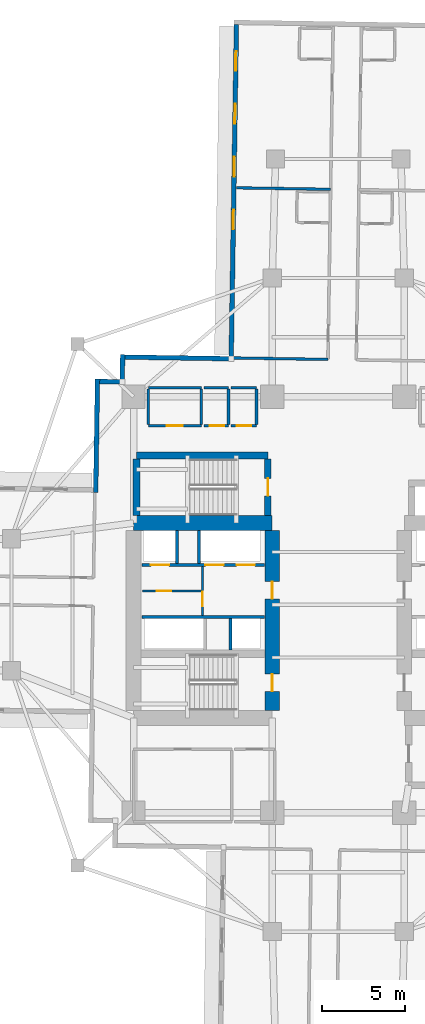
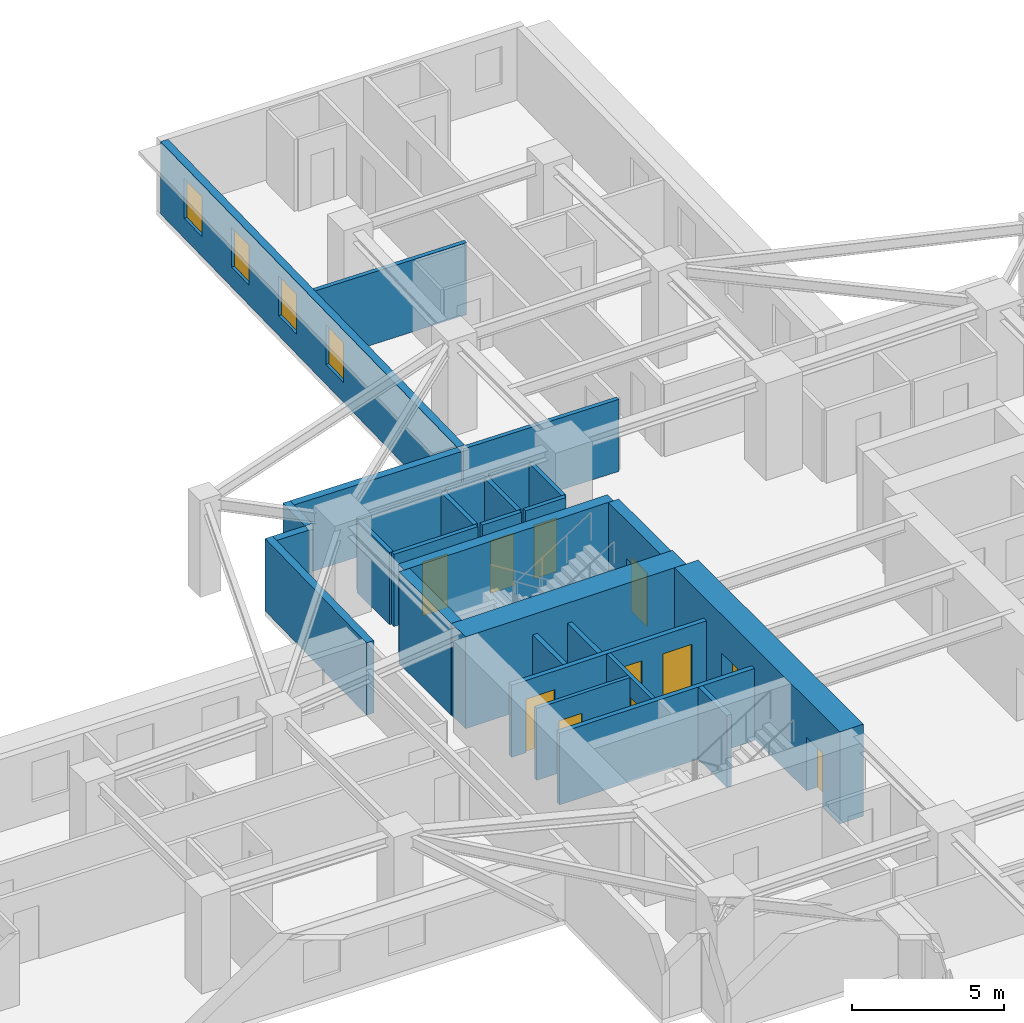
# One storey, part 5 of 13: 29 walls, 11 doors, 4 windows, 15 openings.
"""IFC4 building model written with IfcOpenShell, lengths in metres."""

from ifc_helpers import new_model, si_unit, direction, frame, frame_2d, origin, place, context, subcontext, project, spatial, rectangle, extrude, material, layer, layer_set, type_object, element, fill, save


model = new_model("IFC4")

# Units and contexts
model_context = context("Model", 3, precision=1e-05, world=origin(), true_north=direction((0.0, 1.0)))
body_context = subcontext(model_context, "Body", "Model", "MODEL_VIEW")
ifc_project = project(units=[si_unit("LENGTHUNIT", "METRE"), si_unit("AREAUNIT", "SQUARE_METRE"), si_unit("VOLUMEUNIT", "CUBIC_METRE"), si_unit("PLANEANGLEUNIT", "RADIAN"), si_unit("MASSUNIT", "GRAM", prefix="KILO")], contexts=[model_context])

# Site, building, storey
site_placement = place(None, origin())
site = spatial("IfcSite", under=ifc_project, at=site_placement, CompositionType="ELEMENT")
building_placement = place(site_placement, origin())
building = spatial("IfcBuilding", under=site, at=building_placement, Name="Qingluan Cross Belvedere", CompositionType="ELEMENT")
storey_placement = place(building_placement, frame((0.0, 0.0, 67.800048828125)))
storey = spatial("IfcBuildingStorey", under=building, at=storey_placement, Name="L17", CompositionType="ELEMENT", Elevation=67.800048828125)

# Walls
ifc_material_1 = material(Name="Concrete C50", Category="concrete")
ifc_layer_1 = layer(ifc_material_1, 0.449951171875, Name="CoreShearWall_450")
ifc_layer_set_1 = layer_set([ifc_layer_1], Name="Concrete C50")
wall_type_1 = type_object("IfcWallType", Name="CoreShearWall_450", PredefinedType="SHEAR", material=ifc_layer_set_1)
wall_1_placement = place(storey_placement, frame((-12.219970703125, 9.0400390625, 0.0), z_axis=(0.0, 0.0, 1.0), x_axis=(1.0, 0.0, 0.0)))
element("IfcWall", 1, at=wall_1_placement, inside=storey, type_object=wall_type_1, Name="Stair ST3 structural wall N L17", PredefinedType="SHEAR", context=body_context, shape_type="SweptSolid", body=[
    extrude(rectangle(XDim=7.9599609375, YDim=0.39990234375, at=frame_2d((3.97998046875, 0.0))), origin(), (0.0, 0.0, 1.0), 3.699951171875),
])
wall_2_placement = place(storey_placement, frame((-12.219970703125, 5.405029296875, 0.0), z_axis=(0.0, 0.0, 1.0), x_axis=(0.0, 1.0, 0.0)))
element("IfcWall", 2, at=wall_2_placement, inside=storey, type_object=wall_type_1, Name="Stair ST3 structural wall W L17", PredefinedType="SHEAR", context=body_context, shape_type="SweptSolid", body=[
    extrude(rectangle(XDim=3.429931640625, YDim=0.39990234375, at=frame_2d((1.71484375, 0.0))), origin(), (0.0, 0.0, 1.0), 3.699951171875),
])

# Wall, opening, door
wall_3_placement = place(storey_placement, frame((-4.260009765625, 5.405029296875, 0.0), z_axis=(0.0, 0.0, 1.0), x_axis=(0.0, 1.0, 0.0)))
wall_3 = element("IfcWall", 3, at=wall_3_placement, inside=storey, type_object=wall_type_1, Name="Stair ST3 structural wall E L17", PredefinedType="SHEAR", context=body_context, shape_type="SweptSolid", body=[
    extrude(rectangle(XDim=3.429931640625, YDim=0.39990234375, at=frame_2d((1.71484375, 0.0))), origin(), (0.0, 0.0, 1.0), 3.699951171875),
])
opening_1_placement = place(wall_3_placement, frame((1.195068359375, 0.0, 0.0)))
opening_1 = element("IfcOpeningElement", 4, at=opening_1_placement, cuts=wall_3, Name="Opening FD-B11", PredefinedType="OPENING", context=body_context, shape_type="SweptSolid", body=[
    extrude(rectangle(XDim=1.050048828125, YDim=2.14990234375, at=frame_2d((0.52490234375, 1.074951171875))), frame((0.0, 0.2099609375, 0.0), z_axis=(0.0, -1.0, 0.0), x_axis=(1.0, 0.0, 0.0)), (0.0, 0.0, 1.0), 0.419921875),
])
ifc_material_2 = material(Name="Steel Class B smoke-seal fire door", Category="steel")
door_type_1 = type_object("IfcDoorType", Name="StairLobbyFireDoor_FDB", OperationType="NOTDEFINED", PredefinedType="DOOR", material=ifc_material_2)
door_1_placement = place(opening_1_placement, origin())
door_1 = element("IfcDoor", 5, at=door_1_placement, inside=storey, type_object=door_type_1, Name="Smoke-proof stair ST3 fire door L17", OperationType="SINGLE_SWING_RIGHT", OverallHeight=2.14990234375, OverallWidth=1.050048828125, PredefinedType="DOOR", context=body_context, shape_type="SweptSolid", body=[
    extrude(rectangle(XDim=1.050048828125, YDim=2.14990234375, at=frame_2d((0.52490234375, 1.074951171875))), frame((0.0, 0.02490234375, 0.0), z_axis=(0.0, -1.0, 0.0), x_axis=(1.0, 0.0, 0.0)), (0.0, 0.0, 1.0), 0.050048828125),
])
fill(opening_1, door_1)

# Wall
ifc_material_3 = material(Name="Concrete C70", Category="concrete")
ifc_layer_2 = layer(ifc_material_3, 0.89990234375, Name="CoreShearWall_900")
ifc_layer_set_2 = layer_set([ifc_layer_2], Name="Concrete C70")
wall_type_2 = type_object("IfcWallType", Name="CoreShearWall_900", PredefinedType="SHEAR", material=ifc_layer_set_2)
wall_4_placement = place(storey_placement, frame((-12.39990234375, 4.949951171875, 0.0), z_axis=(0.0, 0.0, 1.0), x_axis=(1.0, 0.0, 0.0)))
element("IfcWall", 6, at=wall_4_placement, inside=storey, type_object=wall_type_2, Name="Split core W shear wall L17-N", PredefinedType="SHEAR", context=body_context, shape_type="SweptSolid", body=[
    extrude(rectangle(XDim=8.39990234375, YDim=0.89990234375, at=frame_2d((4.199951171875, 0.0))), origin(), (0.0, 0.0, 1.0), 3.699951171875),
])

# Wall, openings, doors
wall_5_placement = place(storey_placement, frame((-4.0, -6.39501953125, 0.0), z_axis=(0.0, 0.0, 1.0), x_axis=(0.0, 1.0, 0.0)))
wall_5 = element("IfcWall", 7, at=wall_5_placement, inside=storey, type_object=wall_type_2, Name="Split core W shear wall L17-E", PredefinedType="SHEAR", context=body_context, shape_type="SweptSolid", body=[
    extrude(rectangle(XDim=10.89013671875, YDim=0.89990234375, at=frame_2d((5.445068359375, 0.0))), origin(), (0.0, 0.0, 1.0), 3.699951171875),
])
opening_2_placement = place(wall_5_placement, frame((1.14501953125, 0.0, 0.0)))
opening_2 = element("IfcOpeningElement", 8, at=opening_2_placement, cuts=wall_5, Name="Opening FD-B11", PredefinedType="OPENING", context=body_context, shape_type="SweptSolid", body=[
    extrude(rectangle(XDim=1.050048828125, YDim=2.14990234375, at=frame_2d((0.52490234375, 1.074951171875))), frame((0.0, 0.4599609375, 0.0), z_axis=(0.0, -1.0, 0.0), x_axis=(1.0, 0.0, 0.0)), (0.0, 0.0, 1.0), 0.919921875),
])
opening_3_placement = place(wall_5_placement, frame((6.7451171875, 0.0, 0.0)))
opening_3 = element("IfcOpeningElement", 9, at=opening_3_placement, cuts=wall_5, Name="Opening FD-B11", PredefinedType="OPENING", context=body_context, shape_type="SweptSolid", body=[
    extrude(rectangle(XDim=1.050048828125, YDim=2.14990234375, at=frame_2d((0.52490234375, 1.074951171875))), frame((0.0, 0.4599609375, 0.0), z_axis=(0.0, -1.0, 0.0), x_axis=(1.0, 0.0, 0.0)), (0.0, 0.0, 1.0), 0.919921875),
])
door_2_placement = place(opening_2_placement, origin())
door_2 = element("IfcDoor", 10, at=door_2_placement, inside=storey, type_object=door_type_1, Name="Smoke-proof stair ST1 fire door L17", OperationType="SINGLE_SWING_RIGHT", OverallHeight=2.14990234375, OverallWidth=1.050048828125, PredefinedType="DOOR", context=body_context, shape_type="SweptSolid", body=[
    extrude(rectangle(XDim=1.050048828125, YDim=2.14990234375, at=frame_2d((0.52490234375, 1.074951171875))), frame((0.0, 0.02490234375, 0.0), z_axis=(0.0, -1.0, 0.0), x_axis=(1.0, 0.0, 0.0)), (0.0, 0.0, 1.0), 0.050048828125),
])
fill(opening_2, door_2)
door_3_placement = place(opening_3_placement, origin())
door_3 = element("IfcDoor", 11, at=door_3_placement, inside=storey, type_object=door_type_1, Name="Firefighting lobby West fire door L17", OperationType="SINGLE_SWING_RIGHT", OverallHeight=2.14990234375, OverallWidth=1.050048828125, PredefinedType="DOOR", context=body_context, shape_type="SweptSolid", body=[
    extrude(rectangle(XDim=1.050048828125, YDim=2.14990234375, at=frame_2d((0.52490234375, 1.074951171875))), frame((0.0, 0.02490234375, 0.0), z_axis=(0.0, -1.0, 0.0), x_axis=(1.0, 0.0, 0.0)), (0.0, 0.0, 1.0), 0.050048828125),
])
fill(opening_3, door_3)

# Wall, opening, door
ifc_material_4 = material(Name="Gypsum plasterboard on steel stud acoustic partition", Category="steel")
ifc_layer_3 = layer(ifc_material_4, 0.159912109375, Name="CorridorPartition_160")
ifc_layer_set_3 = layer_set([ifc_layer_3], Name="Gypsum plasterboard on steel stud acoustic partition")
wall_type_3 = type_object("IfcWallType", Name="CorridorPartition_160", PredefinedType="PARTITIONING", material=ifc_layer_set_3)
wall_6_placement = place(storey_placement, frame((-11.85009765625, 0.830078125, 0.0), z_axis=(0.0, 0.0, 1.0), x_axis=(1.0, 0.0, 0.0)))
wall_6 = element("IfcWall", 12, at=wall_6_placement, inside=storey, type_object=wall_type_3, Name="Partition L17:w", PredefinedType="PARTITIONING", context=body_context, shape_type="SweptSolid", body=[
    extrude(rectangle(XDim=3.552001953125, YDim=0.139892578125, at=frame_2d((1.77587890625, 0.0))), origin(), (0.0, 0.0, 1.0), 2.89990234375),
])
opening_4_placement = place(wall_6_placement, frame((0.85009765625, 0.0, 0.0)))
opening_4 = element("IfcOpeningElement", 13, at=opening_4_placement, cuts=wall_6, Name="Opening FD-B10", PredefinedType="OPENING", context=body_context, shape_type="SweptSolid", body=[
    extrude(rectangle(XDim=0.8798828125, YDim=2.10009765625, at=frame_2d((0.43994140625, 1.050048828125))), frame((0.0, 0.079833984375, 0.0), z_axis=(0.0, -1.0, 0.0), x_axis=(1.0, 0.0, 0.0)), (0.0, 0.0, 1.0), 0.159912109375),
])
ifc_material_5 = material(Name="Steel Class B service fire door", Category="steel")
door_type_2 = type_object("IfcDoorType", Name="RiserServiceFireDoor_FDB", OperationType="NOTDEFINED", PredefinedType="DOOR", material=ifc_material_5)
door_4_placement = place(opening_4_placement, origin())
door_4 = element("IfcDoor", 14, at=door_4_placement, inside=storey, type_object=door_type_2, Name="Service closet inner door L17", OperationType="SINGLE_SWING_RIGHT", OverallHeight=2.10009765625, OverallWidth=0.8798828125, PredefinedType="DOOR", context=body_context, shape_type="SweptSolid", body=[
    extrude(rectangle(XDim=0.8798828125, YDim=2.10009765625, at=frame_2d((0.43994140625, 1.050048828125))), frame((0.0, 0.02490234375, 0.0), z_axis=(0.0, -1.0, 0.0), x_axis=(1.0, 0.0, 0.0)), (0.0, 0.0, 1.0), 0.050048828125),
])
fill(opening_4, door_4)

wall_7_placement = place(storey_placement, frame((-11.5, 10.85009765625, 0.0), z_axis=(0.0, 0.0, 1.0), x_axis=(1.0, 0.0, 0.0)))
wall_7 = element("IfcWall", 15, at=wall_7_placement, inside=storey, type_object=wall_type_3, Name="Partition L17:q_nw_occ:S", PredefinedType="PARTITIONING", context=body_context, shape_type="SweptSolid", body=[
    extrude(rectangle(XDim=3.199951171875, YDim=0.159912109375, at=frame_2d((1.60009765625, 0.0))), origin(), (0.0, 0.0, 1.0), 2.89990234375),
])
opening_5_placement = place(wall_7_placement, frame((1.1201171875, 0.0, 0.0)))
opening_5 = element("IfcOpeningElement", 16, at=opening_5_placement, cuts=wall_7, Name="Opening GD-10", PredefinedType="OPENING", context=body_context, shape_type="SweptSolid", body=[
    extrude(rectangle(XDim=0.9599609375, YDim=2.14990234375, at=frame_2d((0.47998046875, 1.074951171875))), frame((0.0, 0.08984375, 0.0), z_axis=(0.0, -1.0, 0.0), x_axis=(1.0, 0.0, 0.0)), (0.0, 0.0, 1.0), 0.179931640625),
])
ifc_material_6 = material(Name="Timber oak fire-rated acoustic guestroom door", Category="wood")
door_type_3 = type_object("IfcDoorType", Name="GuestEntryDoor_FD60", OperationType="NOTDEFINED", PredefinedType="DOOR", material=ifc_material_6)
door_5_placement = place(opening_5_placement, origin())
door_5 = element("IfcDoor", 17, at=door_5_placement, inside=storey, type_object=door_type_3, Name="Northwest corner reading salon L17 door", OperationType="SINGLE_SWING_RIGHT", OverallHeight=2.14990234375, OverallWidth=0.9599609375, PredefinedType="DOOR", context=body_context, shape_type="SweptSolid", body=[
    extrude(rectangle(XDim=0.9599609375, YDim=2.14990234375, at=frame_2d((0.47998046875, 1.074951171875))), frame((0.0, 0.02490234375, 0.0), z_axis=(0.0, -1.0, 0.0), x_axis=(1.0, 0.0, 0.0)), (0.0, 0.0, 1.0), 0.050048828125),
])
fill(opening_5, door_5)

# Walls
wall_8_placement = place(storey_placement, frame((-11.5, 13.14990234375, 0.0), z_axis=(0.0, 0.0, 1.0), x_axis=(1.0, 0.0, 0.0)))
element("IfcWall", 18, at=wall_8_placement, inside=storey, type_object=wall_type_3, Name="Partition L17:q_nw_occ:N", PredefinedType="PARTITIONING", context=body_context, shape_type="SweptSolid", body=[
    extrude(rectangle(XDim=3.199951171875, YDim=0.159912109375, at=frame_2d((1.60009765625, 0.0))), origin(), (0.0, 0.0, 1.0), 2.89990234375),
])
for number, where, z_axis, x_axis, name in (
    (19, (-11.5, 10.93505859375, 0.0), (0.0, 0.0, 1.0), (0.0, 1.0, 0.0), "Partition L17:q_nw_occ:W"),
    (20, (-8.300048828125, 10.93505859375, 0.0), (0.0, 0.0, 1.0), (0.0, 1.0, 0.0), "Partition L17:q_nw_occ:E"),
):
    element("IfcWall", number, at=place(storey_placement, frame(where, z_axis=z_axis, x_axis=x_axis)), inside=storey, type_object=wall_type_3, Name=name, PredefinedType="PARTITIONING", context=body_context, shape_type="SweptSolid", body=[
        extrude(rectangle(XDim=2.1298828125, YDim=0.159912109375, at=frame_2d((1.06494140625, 0.0))), origin(), (0.0, 0.0, 1.0), 2.89990234375),
    ])

# Wall, opening, door
wall_9_placement = place(storey_placement, frame((-8.139892578125, 10.85009765625, 0.0), z_axis=(0.0, 0.0, 1.0), x_axis=(1.0, 0.0, 0.0)))
wall_9 = element("IfcWall", 21, at=wall_9_placement, inside=storey, type_object=wall_type_3, Name="Partition L17:hk_linen:S", PredefinedType="PARTITIONING", context=body_context, shape_type="SweptSolid", body=[
    extrude(rectangle(XDim=1.489990234375, YDim=0.159912109375, at=frame_2d((0.7451171875, 0.0))), origin(), (0.0, 0.0, 1.0), 2.89990234375),
])
opening_6_placement = place(wall_9_placement, frame((0.35009765625, 0.0, 0.0)))
opening_6 = element("IfcOpeningElement", 22, at=opening_6_placement, cuts=wall_9, Name="Opening FD-B10", PredefinedType="OPENING", context=body_context, shape_type="SweptSolid", body=[
    extrude(rectangle(XDim=0.8798828125, YDim=2.10009765625, at=frame_2d((0.43994140625, 1.050048828125))), frame((0.0, 0.08984375, 0.0), z_axis=(0.0, -1.0, 0.0), x_axis=(1.0, 0.0, 0.0)), (0.0, 0.0, 1.0), 0.179931640625),
])
door_6_placement = place(opening_6_placement, origin())
door_6 = element("IfcDoor", 23, at=door_6_placement, inside=storey, type_object=door_type_2, Name="Housekeeping and linen store L17 door", OperationType="SINGLE_SWING_LEFT", OverallHeight=2.10009765625, OverallWidth=0.8798828125, PredefinedType="DOOR", context=body_context, shape_type="SweptSolid", body=[
    extrude(rectangle(XDim=0.8798828125, YDim=2.10009765625, at=frame_2d((0.43994140625, 1.050048828125))), frame((0.0, 0.02490234375, 0.0), z_axis=(0.0, -1.0, 0.0), x_axis=(1.0, 0.0, 0.0)), (0.0, 0.0, 1.0), 0.050048828125),
])
fill(opening_6, door_6)

# Walls
wall_10_placement = place(storey_placement, frame((-8.139892578125, 13.14990234375, 0.0), z_axis=(0.0, 0.0, 1.0), x_axis=(1.0, 0.0, 0.0)))
element("IfcWall", 24, at=wall_10_placement, inside=storey, type_object=wall_type_3, Name="Partition L17:hk_linen:N", PredefinedType="PARTITIONING", context=body_context, shape_type="SweptSolid", body=[
    extrude(rectangle(XDim=1.489990234375, YDim=0.159912109375, at=frame_2d((0.7451171875, 0.0))), origin(), (0.0, 0.0, 1.0), 2.89990234375),
])
wall_11_placement = place(storey_placement, frame((-6.64990234375, 10.93505859375, 0.0), z_axis=(0.0, 0.0, 1.0), x_axis=(0.0, 1.0, 0.0)))
element("IfcWall", 25, at=wall_11_placement, inside=storey, type_object=wall_type_3, Name="Partition L17:hk_linen:E", PredefinedType="PARTITIONING", context=body_context, shape_type="SweptSolid", body=[
    extrude(rectangle(XDim=2.1298828125, YDim=0.159912109375, at=frame_2d((1.06494140625, 0.0))), origin(), (0.0, 0.0, 1.0), 2.89990234375),
])

# Wall, opening, door
wall_12_placement = place(storey_placement, frame((-6.489990234375, 10.85009765625, 0.0), z_axis=(0.0, 0.0, 1.0), x_axis=(1.0, 0.0, 0.0)))
wall_12 = element("IfcWall", 26, at=wall_12_placement, inside=storey, type_object=wall_type_3, Name="Partition L17:floor_acc_wc:S", PredefinedType="PARTITIONING", context=body_context, shape_type="SweptSolid", body=[
    extrude(rectangle(XDim=1.5400390625, YDim=0.159912109375, at=frame_2d((0.77001953125, 0.0))), origin(), (0.0, 0.0, 1.0), 2.89990234375),
])
opening_7_placement = place(wall_12_placement, frame((0.35009765625, 0.0, 0.0)))
opening_7 = element("IfcOpeningElement", 27, at=opening_7_placement, cuts=wall_12, Name="Opening BD-08", PredefinedType="OPENING", context=body_context, shape_type="SweptSolid", body=[
    extrude(rectangle(XDim=0.8798828125, YDim=2.14990234375, at=frame_2d((0.43994140625, 1.074951171875))), frame((0.0, 0.08984375, 0.0), z_axis=(0.0, -1.0, 0.0), x_axis=(1.0, 0.0, 0.0)), (0.0, 0.0, 1.0), 0.179931640625),
])
ifc_material_7 = material(Name="Moisture-sealed timber accessible WC door", Category="wood")
door_type_4 = type_object("IfcDoorType", Name="AccessibleWCDoor_880", OperationType="NOTDEFINED", PredefinedType="DOOR", material=ifc_material_7)
door_7_placement = place(opening_7_placement, origin())
door_7 = element("IfcDoor", 28, at=door_7_placement, inside=storey, type_object=door_type_4, Name="Accessible guest washroom L17 door", OperationType="SINGLE_SWING_RIGHT", OverallHeight=2.14990234375, OverallWidth=0.8798828125, PredefinedType="DOOR", context=body_context, shape_type="SweptSolid", body=[
    extrude(rectangle(XDim=0.8798828125, YDim=2.14990234375, at=frame_2d((0.43994140625, 1.074951171875))), frame((0.0, 0.02490234375, 0.0), z_axis=(0.0, -1.0, 0.0), x_axis=(1.0, 0.0, 0.0)), (0.0, 0.0, 1.0), 0.050048828125),
])
fill(opening_7, door_7)

# Walls
wall_13_placement = place(storey_placement, frame((-6.489990234375, 13.14990234375, 0.0), z_axis=(0.0, 0.0, 1.0), x_axis=(1.0, 0.0, 0.0)))
element("IfcWall", 29, at=wall_13_placement, inside=storey, type_object=wall_type_3, Name="Partition L17:floor_acc_wc:N", PredefinedType="PARTITIONING", context=body_context, shape_type="SweptSolid", body=[
    extrude(rectangle(XDim=1.5400390625, YDim=0.159912109375, at=frame_2d((0.77001953125, 0.0))), origin(), (0.0, 0.0, 1.0), 2.89990234375),
])
wall_14_placement = place(storey_placement, frame((-4.949951171875, 10.93505859375, 0.0), z_axis=(0.0, 0.0, 1.0), x_axis=(0.0, 1.0, 0.0)))
element("IfcWall", 30, at=wall_14_placement, inside=storey, type_object=wall_type_3, Name="Partition L17:floor_acc_wc:E", PredefinedType="PARTITIONING", context=body_context, shape_type="SweptSolid", body=[
    extrude(rectangle(XDim=2.1298828125, YDim=0.159912109375, at=frame_2d((1.06494140625, 0.0))), origin(), (0.0, 0.0, 1.0), 2.89990234375),
])
wall_15_placement = place(storey_placement, frame((-0.626708984375, 14.86181640625, 0.0), z_axis=(0.0, 0.0, 1.0), x_axis=(-0.999877290141, 0.015665396937, 0.0)))
element("IfcWall", 31, at=wall_15_placement, inside=storey, type_object=wall_type_3, Name="Partition L17:N:s1", PredefinedType="PARTITIONING", context=body_context, shape_type="SweptSolid", body=[
    extrude(rectangle(XDim=5.85986328125, YDim=0.159912109375, at=frame_2d((2.929931640625, 0.0))), origin(), (0.0, 0.0, 1.0), 2.89990234375),
])
wall_16_placement = place(storey_placement, frame((-0.464599609375, 25.16748046875, 0.0), z_axis=(0.0, 0.0, 1.0), x_axis=(-0.999876969438, 0.015685853115, 0.0)))
element("IfcWall", 32, at=wall_16_placement, inside=storey, type_object=wall_type_3, Name="Partition L17:N:d1_0", PredefinedType="PARTITIONING", context=body_context, shape_type="SweptSolid", body=[
    extrude(rectangle(XDim=5.712158203125, YDim=0.159912109375, at=frame_2d((2.85595703125, 0.0))), origin(), (0.0, 0.0, 1.0), 2.89990234375),
])

# Wall, openings, windows
ifc_material_8 = material(Name="Precast concrete C45", Category="concrete")
ifc_layer_4 = layer(ifc_material_8, 0.280029296875, Name="PrecastFacadeWall_280")
ifc_layer_set_4 = layer_set([ifc_layer_4], Name="Precast concrete C45")
wall_type_4 = type_object("IfcWallType", Name="PrecastFacadeWall_280", PredefinedType="STANDARD", material=ifc_layer_set_4)
wall_17_placement = place(storey_placement, frame((-6.168701171875, 35.14111328125, 0.0), z_axis=(0.0, 0.0, 1.0), x_axis=(-0.01571739401, -0.999876474133, 0.0)))
wall_17 = element("IfcWall", 33, at=wall_17_placement, inside=storey, type_object=wall_type_4, Name="Facade wall L17-NB", PredefinedType="STANDARD", context=body_context, shape_type="SweptSolid", body=[
    extrude(rectangle(XDim=20.099853515625, YDim=0.280029296875, at=frame_2d((10.0498046875, 0.0))), origin(), (0.0, 0.0, 1.0), 2.909912109375),
])
opening_8_placement = place(wall_17_placement, frame((1.60009765625, 0.0, 0.800048828125)))
opening_8 = element("IfcOpeningElement", 34, at=opening_8_placement, cuts=wall_17, Name="Opening W-02", PredefinedType="OPENING", context=body_context, shape_type="SweptSolid", body=[
    extrude(rectangle(XDim=1.199951171875, YDim=1.60009765625, at=frame_2d((0.60009765625, 0.800048828125))), frame((0.0, 0.14990234375, 0.0), z_axis=(0.0, -1.0, 0.0), x_axis=(1.0, 0.0, 0.0)), (0.0, 0.0, 1.0), 0.300048828125),
])
opening_9_placement = place(wall_17_placement, frame((4.800048828125, 0.0, 0.800048828125)))
opening_9 = element("IfcOpeningElement", 35, at=opening_9_placement, cuts=wall_17, Name="Opening W-02", PredefinedType="OPENING", context=body_context, shape_type="SweptSolid", body=[
    extrude(rectangle(XDim=1.199951171875, YDim=1.60009765625, at=frame_2d((0.60009765625, 0.800048828125))), frame((0.0, 0.14990234375, 0.0), z_axis=(0.0, -1.0, 0.0), x_axis=(1.0, 0.0, 0.0)), (0.0, 0.0, 1.0), 0.300048828125),
])
opening_10_placement = place(wall_17_placement, frame((8.0, 0.0, 0.800048828125)))
opening_10 = element("IfcOpeningElement", 36, at=opening_10_placement, cuts=wall_17, Name="Opening W-02", PredefinedType="OPENING", context=body_context, shape_type="SweptSolid", body=[
    extrude(rectangle(XDim=1.199951171875, YDim=1.60009765625, at=frame_2d((0.60009765625, 0.800048828125))), frame((0.0, 0.14990234375, 0.0), z_axis=(0.0, -1.0, 0.0), x_axis=(1.0, 0.0, 0.0)), (0.0, 0.0, 1.0), 0.300048828125),
])
opening_11_placement = place(wall_17_placement, frame((11.199951171875, 0.0, 0.800048828125)))
opening_11 = element("IfcOpeningElement", 37, at=opening_11_placement, cuts=wall_17, Name="Opening W-02", PredefinedType="OPENING", context=body_context, shape_type="SweptSolid", body=[
    extrude(rectangle(XDim=1.199951171875, YDim=1.60009765625, at=frame_2d((0.60009765625, 0.800048828125))), frame((0.0, 0.14990234375, 0.0), z_axis=(0.0, -1.0, 0.0), x_axis=(1.0, 0.0, 0.0)), (0.0, 0.0, 1.0), 0.300048828125),
])
ifc_material_9 = material(Name="Thermally broken triple Low-E glass in aluminium frame", Category="aluminium")
window_type = type_object("IfcWindowType", Name="TriRibbonWin_1200x1600", PartitioningType="SINGLE_PANEL", PredefinedType="WINDOW", material=ifc_material_9)
window_1_placement = place(opening_8_placement, origin())
window_1 = element("IfcWindow", 38, at=window_1_placement, inside=storey, type_object=window_type, Name="Ribbon window L17-NB-1", OverallHeight=1.60009765625, OverallWidth=1.199951171875, PartitioningType="SINGLE_PANEL", PredefinedType="WINDOW", context=body_context, shape_type="SweptSolid", body=[
    extrude(rectangle(XDim=1.199951171875, YDim=1.60009765625, at=frame_2d((0.60009765625, 0.800048828125))), frame((0.0, 0.030029296875, 0.0), z_axis=(0.0, -1.0, 0.0), x_axis=(1.0, 0.0, 0.0)), (0.0, 0.0, 1.0), 0.06005859375),
])
fill(opening_8, window_1)
window_2_placement = place(opening_9_placement, origin())
window_2 = element("IfcWindow", 39, at=window_2_placement, inside=storey, type_object=window_type, Name="Ribbon window L17-NB-2", OverallHeight=1.60009765625, OverallWidth=1.199951171875, PartitioningType="SINGLE_PANEL", PredefinedType="WINDOW", context=body_context, shape_type="SweptSolid", body=[
    extrude(rectangle(XDim=1.199951171875, YDim=1.60009765625, at=frame_2d((0.60009765625, 0.800048828125))), frame((0.0, 0.030029296875, 0.0), z_axis=(0.0, -1.0, 0.0), x_axis=(1.0, 0.0, 0.0)), (0.0, 0.0, 1.0), 0.06005859375),
])
fill(opening_9, window_2)
window_3_placement = place(opening_10_placement, origin())
window_3 = element("IfcWindow", 40, at=window_3_placement, inside=storey, type_object=window_type, Name="Ribbon window L17-NB-3", OverallHeight=1.60009765625, OverallWidth=1.199951171875, PartitioningType="SINGLE_PANEL", PredefinedType="WINDOW", context=body_context, shape_type="SweptSolid", body=[
    extrude(rectangle(XDim=1.199951171875, YDim=1.60009765625, at=frame_2d((0.60009765625, 0.800048828125))), frame((0.0, 0.030029296875, 0.0), z_axis=(0.0, -1.0, 0.0), x_axis=(1.0, 0.0, 0.0)), (0.0, 0.0, 1.0), 0.06005859375),
])
fill(opening_10, window_3)
window_4_placement = place(opening_11_placement, origin())
window_4 = element("IfcWindow", 41, at=window_4_placement, inside=storey, type_object=window_type, Name="Ribbon window L17-NB-4", OverallHeight=1.60009765625, OverallWidth=1.199951171875, PartitioningType="SINGLE_PANEL", PredefinedType="WINDOW", context=body_context, shape_type="SweptSolid", body=[
    extrude(rectangle(XDim=1.199951171875, YDim=1.60009765625, at=frame_2d((0.60009765625, 0.800048828125))), frame((0.0, 0.030029296875, 0.0), z_axis=(0.0, -1.0, 0.0), x_axis=(1.0, 0.0, 0.0)), (0.0, 0.0, 1.0), 0.06005859375),
])
fill(opening_11, window_4)

# Walls
wall_18_placement = place(storey_placement, frame((-14.69482421875, 6.811767578125, 0.0), z_axis=(0.0, 0.0, 1.0), x_axis=(0.015694809807, 0.999876828887, 0.0)))
element("IfcWall", 42, at=wall_18_placement, inside=storey, type_object=wall_type_4, Name="Corner wall L17-NW1", PredefinedType="STANDARD", context=body_context, shape_type="SweptSolid", body=[
    extrude(rectangle(XDim=6.85986328125, YDim=0.280029296875, at=frame_2d((3.429931640625, 0.0))), origin(), (0.0, 0.0, 1.0), 2.909912109375),
])
wall_19_placement = place(storey_placement, frame((-14.44921875, 13.528564453125, 0.0), z_axis=(0.0, 0.0, 1.0), x_axis=(0.999878147354, -0.015610587569, 0.0)))
element("IfcWall", 43, at=wall_19_placement, inside=storey, type_object=wall_type_4, Name="Corner wall L17-NW2", PredefinedType="STANDARD", context=body_context, shape_type="SweptSolid", body=[
    extrude(rectangle(XDim=1.219970703125, YDim=0.280029296875, at=frame_2d((0.60986328125, 0.0))), origin(), (0.0, 0.0, 1.0), 2.909912109375),
])
wall_20_placement = place(storey_placement, frame((-13.08740234375, 13.647216796875, 0.0), z_axis=(0.0, 0.0, 1.0), x_axis=(0.015785793208, 0.999875396603, 0.0)))
element("IfcWall", 44, at=wall_20_placement, inside=storey, type_object=wall_type_4, Name="Corner wall L17-NW3", PredefinedType="STANDARD", context=body_context, shape_type="SweptSolid", body=[
    extrude(rectangle(XDim=1.500244140625, YDim=0.280029296875, at=frame_2d((0.75, 0.0))), origin(), (0.0, 0.0, 1.0), 2.909912109375),
])
wall_21_placement = place(storey_placement, frame((-12.92578125, 15.0048828125, 0.0), z_axis=(0.0, 0.0, 1.0), x_axis=(0.999876823822, -0.015695132501, 0.0)))
element("IfcWall", 45, at=wall_21_placement, inside=storey, type_object=wall_type_4, Name="Corner wall L17-NW4", PredefinedType="STANDARD", context=body_context, shape_type="SweptSolid", body=[
    extrude(rectangle(XDim=6.2998046875, YDim=0.280029296875, at=frame_2d((3.14990234375, 0.0))), origin(), (0.0, 0.0, 1.0), 2.909912109375),
])

# Wall, openings, doors
ifc_material_10 = material(Name="Concrete C40", Category="concrete")
ifc_layer_5 = layer(ifc_material_10, 0.219970703125, Name="ShaftEnclosureWall_250")
ifc_layer_set_5 = layer_set([ifc_layer_5], Name="Concrete C40")
wall_type_5 = type_object("IfcWallType", Name="ShaftEnclosureWall_250", PredefinedType="SOLIDWALL", material=ifc_layer_set_5)
wall_22_placement = place(storey_placement, frame((-11.89990234375, 2.409912109375, 0.0), z_axis=(0.0, 0.0, 1.0), x_axis=(1.0, 0.0, 0.0)))
wall_22 = element("IfcWall", 46, at=wall_22_placement, inside=storey, type_object=wall_type_5, Name="Core-W north hoistway wall L17", PredefinedType="SOLIDWALL", context=body_context, shape_type="SweptSolid", body=[
    extrude(rectangle(XDim=7.419921875, YDim=0.179931640625, at=frame_2d((3.7099609375, 0.0))), origin(), (0.0, 0.0, 1.0), 2.89990234375),
])
opening_12_placement = place(wall_22_placement, frame((0.550048828125, 0.0, 0.0)))
opening_12 = element("IfcOpeningElement", 47, at=opening_12_placement, cuts=wall_22, Name="Opening LD-11", PredefinedType="OPENING", context=body_context, shape_type="SweptSolid", body=[
    extrude(rectangle(XDim=1.10009765625, YDim=2.14990234375, at=frame_2d((0.550048828125, 1.074951171875))), frame((0.0, 0.099853515625, 0.0), z_axis=(0.0, -1.0, 0.0), x_axis=(1.0, 0.0, 0.0)), (0.0, 0.0, 1.0), 0.199951171875),
])
opening_13_placement = place(wall_22_placement, frame((3.85009765625, 0.0, 0.0)))
opening_13 = element("IfcOpeningElement", 48, at=opening_13_placement, cuts=wall_22, Name="Opening LD-11", PredefinedType="OPENING", context=body_context, shape_type="SweptSolid", body=[
    extrude(rectangle(XDim=1.10009765625, YDim=2.14990234375, at=frame_2d((0.550048828125, 1.074951171875))), frame((0.0, 0.099853515625, 0.0), z_axis=(0.0, -1.0, 0.0), x_axis=(1.0, 0.0, 0.0)), (0.0, 0.0, 1.0), 0.199951171875),
])
opening_14_placement = place(wall_22_placement, frame((5.75, 0.0, 0.0)))
opening_14 = element("IfcOpeningElement", 49, at=opening_14_placement, cuts=wall_22, Name="Opening LD-11", PredefinedType="OPENING", context=body_context, shape_type="SweptSolid", body=[
    extrude(rectangle(XDim=1.10009765625, YDim=2.14990234375, at=frame_2d((0.550048828125, 1.074951171875))), frame((0.0, 0.099853515625, 0.0), z_axis=(0.0, -1.0, 0.0), x_axis=(1.0, 0.0, 0.0)), (0.0, 0.0, 1.0), 0.199951171875),
])
ifc_material_11 = material(Name="Brushed stainless steel centre-opening lift landing door", Category="steel")
door_type_5 = type_object("IfcDoorType", Name="LiftLandingSlidingDoor_1100", OperationType="DOUBLE_DOOR_SLIDING", PredefinedType="DOOR", material=ifc_material_11)
door_8_placement = place(opening_12_placement, origin())
door_8 = element("IfcDoor", 50, at=door_8_placement, inside=storey, type_object=door_type_5, Name="Lift landing sliding door FL1 L17", OperationType="DOUBLE_DOOR_SLIDING", OverallHeight=2.14990234375, OverallWidth=1.10009765625, PredefinedType="DOOR", context=body_context, shape_type="SweptSolid", body=[
    extrude(rectangle(XDim=1.10009765625, YDim=2.14990234375, at=frame_2d((0.550048828125, 1.074951171875))), frame((0.0, 0.02490234375, 0.0), z_axis=(0.0, -1.0, 0.0), x_axis=(1.0, 0.0, 0.0)), (0.0, 0.0, 1.0), 0.050048828125),
])
fill(opening_12, door_8)
door_9_placement = place(opening_13_placement, origin())
door_9 = element("IfcDoor", 51, at=door_9_placement, inside=storey, type_object=door_type_5, Name="Lift landing sliding door LP1 L17", OperationType="DOUBLE_DOOR_SLIDING", OverallHeight=2.14990234375, OverallWidth=1.10009765625, PredefinedType="DOOR", context=body_context, shape_type="SweptSolid", body=[
    extrude(rectangle(XDim=1.10009765625, YDim=2.14990234375, at=frame_2d((0.550048828125, 1.074951171875))), frame((0.0, 0.02490234375, 0.0), z_axis=(0.0, -1.0, 0.0), x_axis=(1.0, 0.0, 0.0)), (0.0, 0.0, 1.0), 0.050048828125),
])
fill(opening_13, door_9)
door_10_placement = place(opening_14_placement, origin())
door_10 = element("IfcDoor", 52, at=door_10_placement, inside=storey, type_object=door_type_5, Name="Lift landing sliding door LP2 L17", OperationType="DOUBLE_DOOR_SLIDING", OverallHeight=2.14990234375, OverallWidth=1.10009765625, PredefinedType="DOOR", context=body_context, shape_type="SweptSolid", body=[
    extrude(rectangle(XDim=1.10009765625, YDim=2.14990234375, at=frame_2d((0.550048828125, 1.074951171875))), frame((0.0, 0.02490234375, 0.0), z_axis=(0.0, -1.0, 0.0), x_axis=(1.0, 0.0, 0.0)), (0.0, 0.0, 1.0), 0.050048828125),
])
fill(opening_14, door_10)

# Walls
wall_23_placement = place(storey_placement, frame((-11.89990234375, -0.75, 0.0), z_axis=(0.0, 0.0, 1.0), x_axis=(1.0, 0.0, 0.0)))
element("IfcWall", 53, at=wall_23_placement, inside=storey, type_object=wall_type_5, Name="Core-W mid hoistway wall L17", PredefinedType="SOLIDWALL", context=body_context, shape_type="SweptSolid", body=[
    extrude(rectangle(XDim=7.419921875, YDim=0.179931640625, at=frame_2d((3.7099609375, 0.0))), origin(), (0.0, 0.0, 1.0), 2.89990234375),
])
for number, where, z_axis, x_axis, name in (
    (54, (-9.760009765625, 2.5, 0.0), (0.0, 0.0, 1.0), (0.0, 1.0, 0.0), "Hoistway enclosure divider FL1E L17"),
    (55, (-8.43994140625, 2.5, 0.0), (0.0, 0.0, 1.0), (0.0, 1.0, 0.0), "Hoistway enclosure divider LP1W L17"),
):
    element("IfcWall", number, at=place(storey_placement, frame(where, z_axis=z_axis, x_axis=x_axis)), inside=storey, type_object=wall_type_5, Name=name, PredefinedType="SOLIDWALL", context=body_context, shape_type="SweptSolid", body=[
        extrude(rectangle(XDim=1.989990234375, YDim=0.179931640625, at=frame_2d((0.9951171875, 0.0))), origin(), (0.0, 0.0, 1.0), 2.89990234375),
    ])
wall_24_placement = place(storey_placement, frame((-6.5400390625, -2.72998046875, 0.0), z_axis=(0.0, 0.0, 1.0), x_axis=(0.0, 1.0, 0.0)))
element("IfcWall", 56, at=wall_24_placement, inside=storey, type_object=wall_type_5, Name="Hoistway enclosure divider LP8W L17", PredefinedType="SOLIDWALL", context=body_context, shape_type="SweptSolid", body=[
    extrude(rectangle(XDim=1.889892578125, YDim=0.179931640625, at=frame_2d((0.94482421875, 0.0))), origin(), (0.0, 0.0, 1.0), 2.89990234375),
])

# Wall, opening, door
wall_25_placement = place(storey_placement, frame((-8.219970703125, -0.64990234375, 0.0), z_axis=(0.0, 0.0, 1.0), x_axis=(0.0, 1.0, 0.0)))
wall_25 = element("IfcWall", 57, at=wall_25_placement, inside=storey, type_object=wall_type_5, Name="Core-W service corridor wall L17", PredefinedType="SOLIDWALL", context=body_context, shape_type="SweptSolid", body=[
    extrude(rectangle(XDim=2.9599609375, YDim=0.139892578125, at=frame_2d((1.47998046875, 0.0))), origin(), (0.0, 0.0, 1.0), 2.89990234375),
])
opening_15_placement = place(wall_25_placement, frame((0.550048828125, 0.0, 0.0)))
opening_15 = element("IfcOpeningElement", 58, at=opening_15_placement, cuts=wall_25, Name="Opening FD-B10", PredefinedType="OPENING", context=body_context, shape_type="SweptSolid", body=[
    extrude(rectangle(XDim=0.8798828125, YDim=2.10009765625, at=frame_2d((0.43994140625, 1.050048828125))), frame((0.0, 0.079833984375, 0.0), z_axis=(0.0, -1.0, 0.0), x_axis=(1.0, 0.0, 0.0)), (0.0, 0.0, 1.0), 0.159912109375),
])
door_11_placement = place(opening_15_placement, origin())
door_11 = element("IfcDoor", 59, at=door_11_placement, inside=storey, type_object=door_type_2, Name="Core-W service room door L17", OperationType="SINGLE_SWING_RIGHT", OverallHeight=2.10009765625, OverallWidth=0.8798828125, PredefinedType="DOOR", context=body_context, shape_type="SweptSolid", body=[
    extrude(rectangle(XDim=0.8798828125, YDim=2.10009765625, at=frame_2d((0.43994140625, 1.050048828125))), frame((0.0, 0.02490234375, 0.0), z_axis=(0.0, -1.0, 0.0), x_axis=(1.0, 0.0, 0.0)), (0.0, 0.0, 1.0), 0.050048828125),
])
fill(opening_15, door_11)

save(model, "model.ifc")
